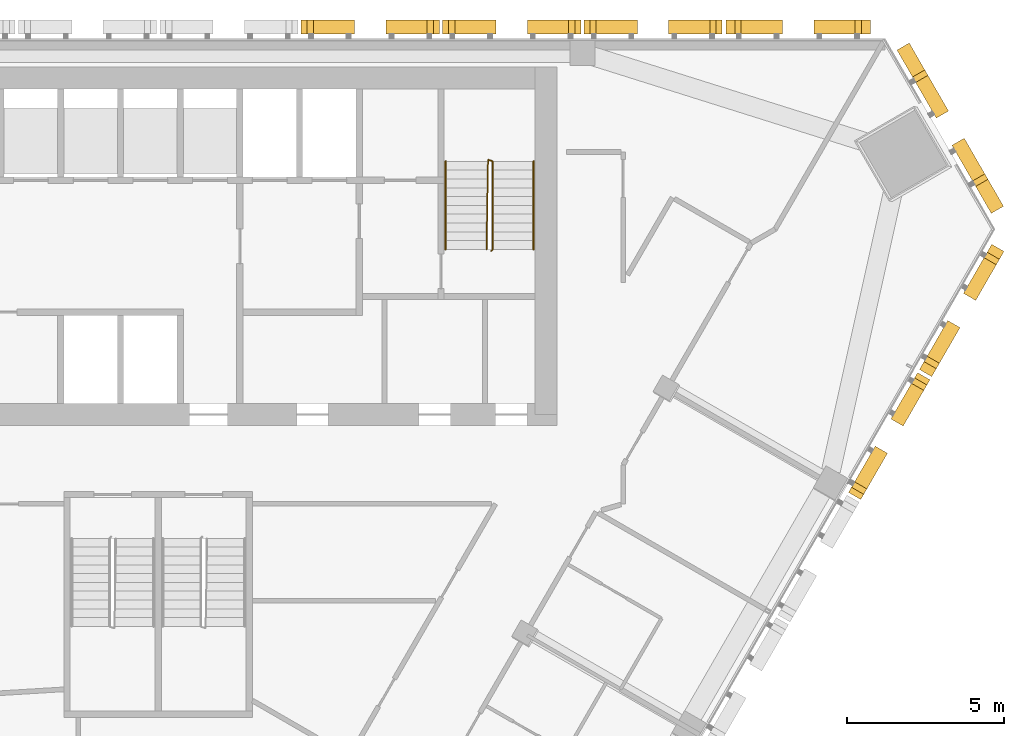
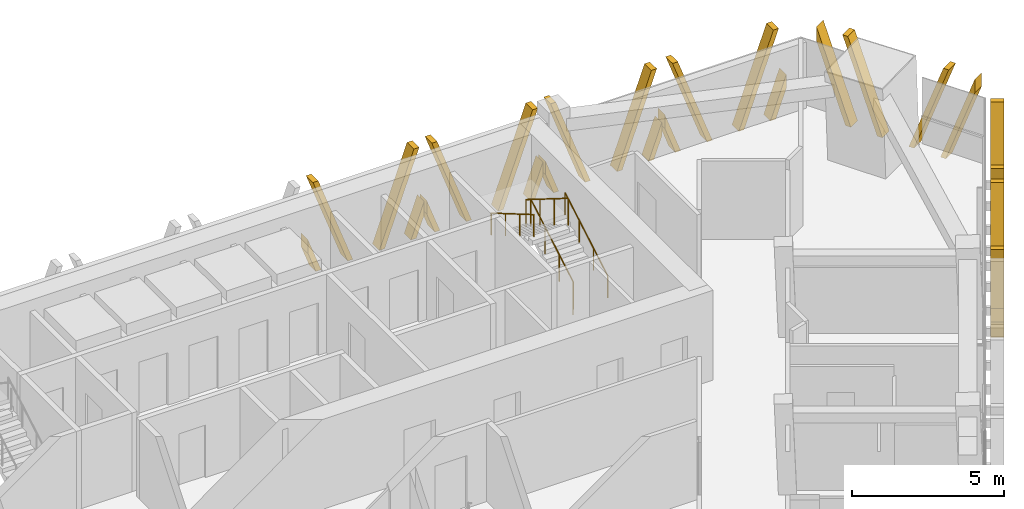
# One storey, part 15 of 16: 7 shading devices, 3 railings.
"""IFC4 building model written with IfcOpenShell, lengths in metres."""

from ifc_helpers import new_model, si_unit, direction, frame, origin, origin_2d, place, context, subcontext, project, spatial, polyline, circle, outline, extrude, source, transform, mapped, material, type_object, element, save


model = new_model("IFC4")

# Units and contexts
model_context = context("Model", 3, precision=1e-05, world=origin(), true_north=direction((0.0, 1.0)))
body_context = subcontext(model_context, "Body", "Model", "MODEL_VIEW")
ifc_project = project(units=[si_unit("LENGTHUNIT", "METRE"), si_unit("AREAUNIT", "SQUARE_METRE"), si_unit("VOLUMEUNIT", "CUBIC_METRE"), si_unit("PLANEANGLEUNIT", "RADIAN"), si_unit("MASSUNIT", "GRAM", prefix="KILO")], contexts=[model_context])

# Site, building, storey
site_placement = place(None, origin())
site = spatial("IfcSite", under=ifc_project, at=site_placement, CompositionType="ELEMENT")
building_placement = place(site_placement, origin())
building = spatial("IfcBuilding", under=site, at=building_placement, Name="Altiplano Prism Tower", CompositionType="ELEMENT")
storey_placement = place(building_placement, frame((0.0, 0.0, 167.39990234375)))
storey = spatial("IfcBuildingStorey", under=building, at=storey_placement, Name="L43", CompositionType="ELEMENT", Elevation=167.39990234375)

# Railings
ifc_material_1 = material(Name="Steel S355", Category="steel")
railing_type_1 = type_object("IfcRailingType", Name="Stair guard 1100", PredefinedType="GUARDRAIL", material=ifc_material_1)
railing_1_placement = place(storey_placement, frame((95.60009765625, 98.25, 0.0)))
element("IfcRailing", 1, at=railing_1_placement, inside=storey, type_object=railing_type_1, Name="L43 ST2 stair guard 1", PredefinedType="GUARDRAIL", context=body_context, shape_type="SweptSolid", body=[
    extrude(circle(Radius=0.02392578125, at=origin_2d()), frame((0.0, 0.0, 1.076171875), z_axis=(0.279194930351, 0.280563532951, 0.91833234444), x_axis=(-0.708833529934, 0.705375805398, 0.0)), (0.0, 0.0, 1.0), 0.178466796875),
    extrude(circle(Radius=0.02392578125, at=origin_2d()), frame((0.0498046875, 0.050048828125, 1.23974609375), z_axis=(0.0, 0.863393664356, 0.504530851732), x_axis=(-1.0, 0.0, 0.0)), (0.0, 0.0, 1.0), 3.2431640625),
    extrude(circle(Radius=0.02392578125, at=origin_2d()), frame((0.0498046875, 2.85009765625, 2.8759765625), z_axis=(-0.948991962702, 0.315300261223, 0.0), x_axis=(-0.315300261223, -0.948991962702, 0.0)), (0.0, 0.0, 1.0), 0.157958984375),
    extrude(circle(Radius=0.02392578125, at=origin_2d()), frame((-0.10009765625, 2.89990234375, 2.8759765625), z_axis=(-0.014846418356, -0.845376787675, 0.533964109957), x_axis=(0.999845825584, -0.017559187376, 0.0)), (0.0, 0.0, 1.0), 3.37109375),
    extrude(circle(Radius=0.02099609375, at=origin_2d()), origin(), (0.0, 0.0, 1.0), 1.052001953125),
    extrude(circle(Radius=0.02099609375, at=origin_2d()), frame((0.0498046875, 0.050048828125, 0.163818359375)), (0.0, 0.0, 1.0), 1.052001953125),
    extrude(circle(Radius=0.02099609375, at=origin_2d()), frame((0.0498046875, 0.9833984375, 0.709228515625)), (0.0, 0.0, 1.0), 1.052001953125),
    extrude(circle(Radius=0.02099609375, at=origin_2d()), frame((0.0498046875, 1.916748046875, 1.254638671875)), (0.0, 0.0, 1.0), 1.052001953125),
    extrude(circle(Radius=0.02099609375, at=origin_2d()), frame((0.0498046875, 2.85009765625, 1.800048828125)), (0.0, 0.0, 1.0), 1.052001953125),
    extrude(circle(Radius=0.02099609375, at=origin_2d()), frame((-0.10009765625, 2.89990234375, 1.800048828125)), (0.0, 0.0, 1.0), 1.052001953125),
    extrude(circle(Radius=0.02099609375, at=origin_2d()), frame((-0.11669921875, 1.949951171875, 2.400146484375)), (0.0, 0.0, 1.0), 1.052001953125),
    extrude(circle(Radius=0.02099609375, at=origin_2d()), frame((-0.133544921875, 1.0, 3.0)), (0.0, 0.0, 1.0), 1.052001953125),
    extrude(circle(Radius=0.02099609375, at=origin_2d()), frame((-0.150146484375, 0.050048828125, 3.60009765625)), (0.0, 0.0, 1.0), 1.052001953125),
])
railing_type_2 = type_object("IfcRailingType", Name="Stair handrail 900", PredefinedType="HANDRAIL", material=ifc_material_1)
railing_2_placement = place(storey_placement, frame((96.949951171875, 98.300048828125, 0.163818359375)))
element("IfcRailing", 2, at=railing_2_placement, inside=storey, type_object=railing_type_2, Name="L43 ST2 stair handrail 1", PredefinedType="HANDRAIL", context=body_context, shape_type="SweptSolid", body=[
    extrude(circle(Radius=0.02392578125, at=origin_2d()), frame((0.0, 0.0, 0.8759765625), z_axis=(0.0, 0.863393664356, 0.504530851732), x_axis=(-1.0, 0.0, 0.0)), (0.0, 0.0, 1.0), 3.2431640625),
    extrude(circle(Radius=0.02099609375, at=origin_2d()), origin(), (0.0, 0.0, 1.0), 0.851806640625),
    extrude(circle(Radius=0.02099609375, at=origin_2d()), frame((0.0, 0.933349609375, 0.54541015625)), (0.0, 0.0, 1.0), 0.851806640625),
    extrude(circle(Radius=0.02099609375, at=origin_2d()), frame((0.0, 1.86669921875, 1.0908203125)), (0.0, 0.0, 1.0), 0.851806640625),
    extrude(circle(Radius=0.02099609375, at=origin_2d()), frame((0.0, 2.800048828125, 1.63623046875)), (0.0, 0.0, 1.0), 0.851806640625),
])
railing_3_placement = place(storey_placement, frame((94.14990234375, 101.10009765625, 1.963623046875)))
element("IfcRailing", 3, at=railing_3_placement, inside=storey, type_object=railing_type_2, Name="L43 ST2 stair handrail 2", PredefinedType="HANDRAIL", context=body_context, shape_type="SweptSolid", body=[
    extrude(circle(Radius=0.02392578125, at=origin_2d()), frame((0.0, 0.0, 0.8759765625), z_axis=(0.0, -0.863360870873, 0.504586966384), x_axis=(1.0, 0.0, 0.0)), (0.0, 0.0, 1.0), 3.2431640625),
    extrude(circle(Radius=0.02099609375, at=origin_2d()), origin(), (0.0, 0.0, 1.0), 0.851806640625),
    extrude(circle(Radius=0.02099609375, at=origin_2d()), frame((0.0, -0.933349609375, 0.54541015625)), (0.0, 0.0, 1.0), 0.851806640625),
    extrude(circle(Radius=0.02099609375, at=origin_2d()), frame((0.0, -1.86669921875, 1.091064453125)), (0.0, 0.0, 1.0), 0.851806640625),
    extrude(circle(Radius=0.02099609375, at=origin_2d()), frame((0.0, -2.800048828125, 1.636474609375)), (0.0, 0.0, 1.0), 0.851806640625),
])

# Shading devices
ifc_material_2 = material(Name="Warm limestone cast stone", Category="masonry")
shading_device_type_1 = type_object("IfcShadingDeviceType", Name="Stone fin panel, standard unit", PredefinedType="USERDEFINED", material=ifc_material_2)
shared_shape_1 = source(origin(), body_context, "Body", "SweptSolid", [
    extrude(outline(polyline([(-2.199951171875, 1.373779296875), (-2.199951171875, 0.82421875), (-1.89990234375, 0.0), (-1.699951171875, 0.0), (-2.199951171875, 1.373779296875)])), frame((0.0, -0.14990234375, 0.0), z_axis=(0.0, -1.0, 0.0), x_axis=(1.0, 0.0, 0.0)), (0.0, 0.0, 1.0), 0.4501953125),
    extrude(outline(polyline([(-2.01025390625, 3.60009765625), (-0.699951171875, 0.0), (-0.5, 0.0), (-1.810302734375, 3.60009765625), (-2.01025390625, 3.60009765625)])), frame((0.0, -0.14990234375, 0.0), z_axis=(0.0, -1.0, 0.0), x_axis=(1.0, 0.0, 0.0)), (0.0, 0.0, 1.0), 0.4501953125),
    extrude(outline(polyline([(1.810302734375, 3.60009765625), (0.5, 0.0), (0.699951171875, 0.0), (2.01025390625, 3.60009765625), (1.810302734375, 3.60009765625)])), frame((0.0, -0.14990234375, 0.0), z_axis=(0.0, -1.0, 0.0), x_axis=(1.0, 0.0, 0.0)), (0.0, 0.0, 1.0), 0.4501953125),
    extrude(outline(polyline([(2.199951171875, 0.82421875), (2.199951171875, 1.373779296875), (1.699951171875, 0.0), (1.89990234375, 0.0), (2.199951171875, 0.82421875)])), frame((0.0, -0.14990234375, 0.0), z_axis=(0.0, -1.0, 0.0), x_axis=(1.0, 0.0, 0.0)), (0.0, 0.0, 1.0), 0.4501953125),
])
shading_device_1_placement = place(storey_placement, origin())
element("IfcShadingDevice", 4, at=shading_device_1_placement, inside=storey, type_object=shading_device_type_1, Name="Fin L43 north face 2", ObjectType="FIN", PredefinedType="USERDEFINED", context=body_context, shape_type="MappedRepresentation", body=[
    mapped(shared_shape_1, transform((100.75, 105.0, -0.449951171875), x_axis=(-1.0, 0.0, 0.0), y_axis=(0.0, -1.0, 0.0), z_axis=(0.0, 0.0, 1.0))),
])
shading_device_2_placement = place(storey_placement, origin())
element("IfcShadingDevice", 5, at=shading_device_2_placement, inside=storey, type_object=shading_device_type_1, Name="Fin L43 north face 3", ObjectType="FIN", PredefinedType="USERDEFINED", context=body_context, shape_type="MappedRepresentation", body=[
    mapped(shared_shape_1, transform((96.25, 105.0, -0.449951171875), x_axis=(-1.0, 0.0, 0.0), y_axis=(0.0, -1.0, 0.0), z_axis=(0.0, 0.0, 1.0))),
])
shading_device_3_placement = place(storey_placement, origin())
element("IfcShadingDevice", 6, at=shading_device_3_placement, inside=storey, type_object=shading_device_type_1, Name="Fin L43 north face 4", ObjectType="FIN", PredefinedType="USERDEFINED", context=body_context, shape_type="MappedRepresentation", body=[
    mapped(shared_shape_1, transform((91.75, 105.0, -0.449951171875), x_axis=(-1.0, 0.0, 0.0), y_axis=(0.0, -1.0, 0.0), z_axis=(0.0, 0.0, 1.0))),
])
shading_device_4_placement = place(storey_placement, origin())
element("IfcShadingDevice", 7, at=shading_device_4_placement, inside=storey, type_object=shading_device_type_1, Name="Fin L43 south-east face 9", ObjectType="FIN", PredefinedType="USERDEFINED", context=body_context, shape_type="MappedRepresentation", body=[
    mapped(shared_shape_1, transform((107.94189453125, 92.543212890625, -0.449951171875), x_axis=(0.499999990992, 0.866025408985, 0.0), y_axis=(-0.866025408985, 0.499999990992, 0.0), z_axis=(0.0, 0.0, 1.0))),
])
shading_device_type_2 = type_object("IfcShadingDeviceType", Name="Stone fin panel, wide closing bay", PredefinedType="USERDEFINED", material=ifc_material_2)
shared_shape_2 = source(origin(), body_context, "Body", "SweptSolid", [
    extrude(outline(polyline([(-2.300048828125, 1.6484375), (-2.300048828125, 1.09912109375), (-1.89990234375, 0.0), (-1.699951171875, 0.0), (-2.300048828125, 1.6484375)])), frame((0.0, -0.14990234375, 0.0), z_axis=(0.0, -1.0, 0.0), x_axis=(1.0, 0.0, 0.0)), (0.0, 0.0, 1.0), 0.4501953125),
    extrude(outline(polyline([(-2.01025390625, 3.60009765625), (-0.699951171875, 0.0), (-0.5, 0.0), (-1.810302734375, 3.60009765625), (-2.01025390625, 3.60009765625)])), frame((0.0, -0.14990234375, 0.0), z_axis=(0.0, -1.0, 0.0), x_axis=(1.0, 0.0, 0.0)), (0.0, 0.0, 1.0), 0.4501953125),
    extrude(outline(polyline([(1.810302734375, 3.60009765625), (0.5, 0.0), (0.699951171875, 0.0), (2.01025390625, 3.60009765625), (1.810302734375, 3.60009765625)])), frame((0.0, -0.14990234375, 0.0), z_axis=(0.0, -1.0, 0.0), x_axis=(1.0, 0.0, 0.0)), (0.0, 0.0, 1.0), 0.4501953125),
    extrude(outline(polyline([(2.300048828125, 1.09912109375), (2.300048828125, 1.6484375), (1.699951171875, 0.0), (1.89990234375, 0.0), (2.300048828125, 1.09912109375)])), frame((0.0, -0.14990234375, 0.0), z_axis=(0.0, -1.0, 0.0), x_axis=(1.0, 0.0, 0.0)), (0.0, 0.0, 1.0), 0.4501953125),
])
shading_device_5_placement = place(storey_placement, origin())
element("IfcShadingDevice", 8, at=shading_device_5_placement, inside=storey, type_object=shading_device_type_2, Name="Fin L43 north face 1", ObjectType="FIN", PredefinedType="USERDEFINED", context=body_context, shape_type="MappedRepresentation", body=[
    mapped(shared_shape_2, transform((105.367919921875, 105.0, -0.449951171875), x_axis=(-1.0, 0.0, 0.0), y_axis=(0.0, -1.0, 0.0), z_axis=(0.0, 0.0, 1.0))),
])
shading_device_6_placement = place(storey_placement, origin())
element("IfcShadingDevice", 9, at=shading_device_6_placement, inside=storey, type_object=shading_device_type_2, Name="Fin L43 south-east face 10", ObjectType="FIN", PredefinedType="USERDEFINED", context=body_context, shape_type="MappedRepresentation", body=[
    mapped(shared_shape_2, transform((110.2509765625, 96.54248046875, -0.449951171875), x_axis=(0.499999990992, 0.866025408985, 0.0), y_axis=(-0.866025408985, 0.499999990992, 0.0), z_axis=(0.0, 0.0, 1.0))),
])
shading_device_type_3 = type_object("IfcShadingDeviceType", Name="Stone fin panel, chamfer unit", PredefinedType="USERDEFINED", material=ifc_material_2)
shared_shape_3 = source(origin(), body_context, "Body", "SweptSolid", [
    extrude(outline(polyline([(-3.0, 3.57177734375), (-3.0, 3.022216796875), (-1.89990234375, 0.0), (-1.699951171875, 0.0), (-3.0, 3.57177734375)])), frame((0.0, -0.14990234375, 0.0), z_axis=(0.0, -1.0, 0.0), x_axis=(1.0, 0.0, 0.0)), (0.0, 0.0, 1.0), 0.4501953125),
    extrude(outline(polyline([(-2.01025390625, 3.60009765625), (-0.699951171875, 0.0), (-0.5, 0.0), (-1.810302734375, 3.60009765625), (-2.01025390625, 3.60009765625)])), frame((0.0, -0.14990234375, 0.0), z_axis=(0.0, -1.0, 0.0), x_axis=(1.0, 0.0, 0.0)), (0.0, 0.0, 1.0), 0.4501953125),
    extrude(outline(polyline([(1.810302734375, 3.60009765625), (0.5, 0.0), (0.699951171875, 0.0), (2.01025390625, 3.60009765625), (1.810302734375, 3.60009765625)])), frame((0.0, -0.14990234375, 0.0), z_axis=(0.0, -1.0, 0.0), x_axis=(1.0, 0.0, 0.0)), (0.0, 0.0, 1.0), 0.4501953125),
    extrude(outline(polyline([(3.0, 3.022216796875), (3.0, 3.57177734375), (1.699951171875, 0.0), (1.89990234375, 0.0), (3.0, 3.022216796875)])), frame((0.0, -0.14990234375, 0.0), z_axis=(0.0, -1.0, 0.0), x_axis=(1.0, 0.0, 0.0)), (0.0, 0.0, 1.0), 0.4501953125),
])
shading_device_7_placement = place(storey_placement, origin())
element("IfcShadingDevice", 10, at=shading_device_7_placement, inside=storey, type_object=shading_device_type_3, Name="Fin L43 north-east chamfer 1", ObjectType="FIN", PredefinedType="USERDEFINED", context=body_context, shape_type="MappedRepresentation", body=[
    mapped(shared_shape_3, transform((109.88525390625, 101.9697265625, -0.449951171875), x_axis=(-0.49999990914, 0.866025456242, 0.0), y_axis=(-0.866025456242, -0.49999990914, 0.0), z_axis=(0.0, 0.0, 1.0))),
])

save(model, "model.ifc")
